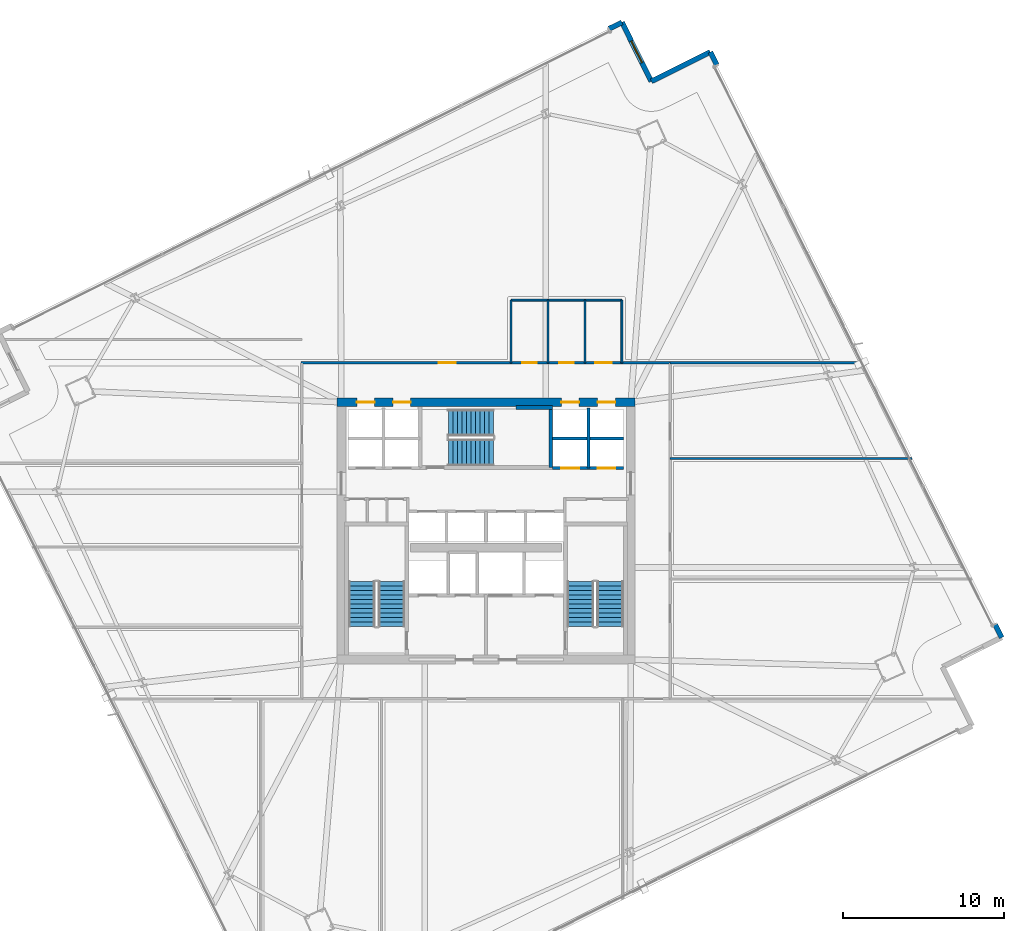
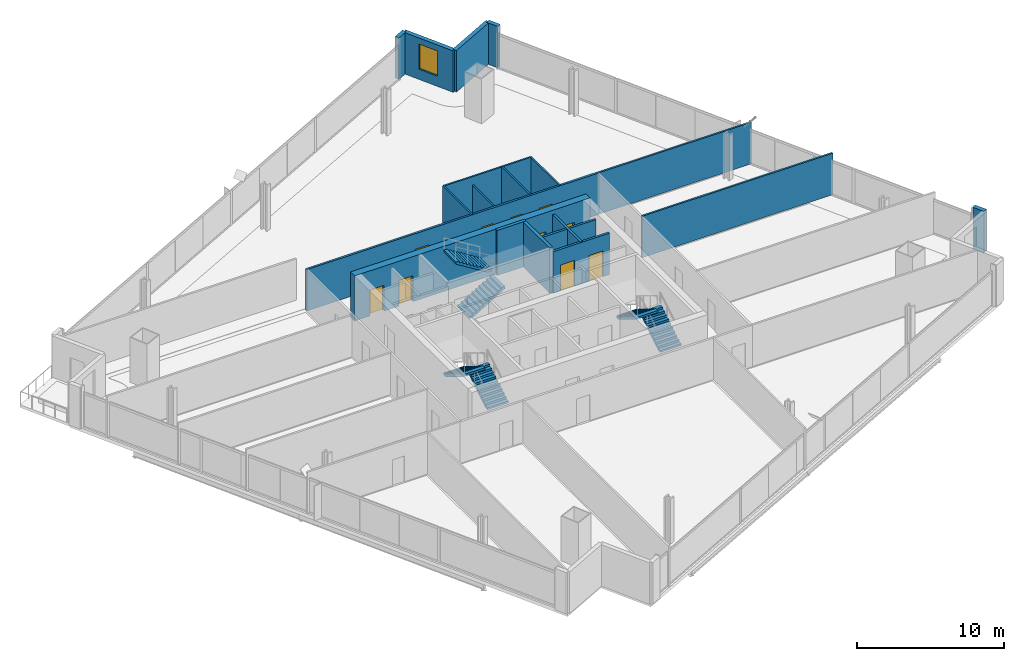
# One storey, part 28 of 35: 19 walls, 10 doors, 6 stair flights, 1 window, 11 openings, 3 elements without a shape of their own.
"""IFC4 building model written with IfcOpenShell, lengths in metres."""

import ifcopenshell
import ifcopenshell.guid

model = None  # the IFC model being written
_history = None  # IfcOwnerHistory: only IFC2X3 demands one
_inside = {}  # id of a spatial element -> (the spatial element, [elements in it])
_under = {}  # id of a project, library or spatial element -> (it, [spatial elements below it])
_declared = {}  # id of a project -> (the project, [libraries it declares])
_typed = {}  # id of a type object -> (the type object, [elements of that type])
_made_of = {}  # id of a material, layer set ... -> (it, [elements and type objects made of it])


def new_model(schema):
    """Start an empty IFC model of exactly this schema.

    Asked for "IFC4X3", IfcOpenShell would pick the latest addendum, in which some entities
    have other attributes; the version numbers below select the first issue.
    IFC2X3 requires an IfcOwnerHistory on every rooted entity: one is made here for all.
    """
    global model, _history
    if schema == "IFC4X3":
        model = ifcopenshell.file(schema_version=(4, 3, 0, 0))
    else:
        model = ifcopenshell.file(schema=schema)
    _inside.clear()
    _under.clear()
    _declared.clear()
    _typed.clear()
    _made_of.clear()
    _history = None
    if model.schema == "IFC2X3":
        org = make("IfcOrganization", Name="unknown")
        user = make(
            "IfcPersonAndOrganization",
            ThePerson=make("IfcPerson", FamilyName="unknown"),
            TheOrganization=org,
        )
        app = make(
            "IfcApplication",
            ApplicationDeveloper=org,
            Version="unknown",
            ApplicationFullName="unknown",
            ApplicationIdentifier="unknown",
        )
        _history = make(
            "IfcOwnerHistory",
            OwningUser=user,
            OwningApplication=app,
            ChangeAction="ADDED",
            CreationDate=0,
        )
    return model


def make(cls, **values):
    """One entity of the class cls with the attributes given. An attribute that is None is left unset."""
    return model.create_entity(
        cls, **{name: value for name, value in values.items() if value is not None}
    )


def rooted(cls, **values):
    """An entity with a GlobalId (a new one), such as an element, a storey or a relation."""
    return make(cls, GlobalId=ifcopenshell.guid.new(), OwnerHistory=_history, **values)


def si_unit(unit_type, name, prefix=None):
    """IfcSIUnit, for example si_unit("LENGTHUNIT", "METRE", prefix="MILLI")."""
    return make("IfcSIUnit", UnitType=unit_type, Prefix=prefix, Name=name)


def assignment(units):
    """IfcUnitAssignment: the units of a project."""
    return None if units is None else make("IfcUnitAssignment", Units=units)


def point(xyz):
    """IfcCartesianPoint."""
    return None if xyz is None else make("IfcCartesianPoint", Coordinates=xyz)


def direction(xyz):
    """IfcDirection."""
    return None if xyz is None else make("IfcDirection", DirectionRatios=xyz)


def frame(location, z_axis=None, x_axis=None):
    """IfcAxis2Placement3D, a coordinate frame: its origin and axes. An axis left out is left unset."""
    return make(
        "IfcAxis2Placement3D",
        Location=point(location),
        Axis=direction(z_axis),
        RefDirection=direction(x_axis),
    )


def frame_2d(location, x_axis=None):
    """IfcAxis2Placement2D, a coordinate frame in the plane: its origin and x axis."""
    return make(
        "IfcAxis2Placement2D", Location=point(location), RefDirection=direction(x_axis)
    )


def origin():
    """The frame at (0, 0, 0) with its axes left unset."""
    return frame((0.0, 0.0, 0.0))


def place(relative_to, where):
    """IfcLocalPlacement: puts the frame where relative to a parent placement (None: the world)."""
    return make(
        "IfcLocalPlacement", PlacementRelTo=relative_to, RelativePlacement=where
    )


def context(
    kind, dimensions, precision=None, world=None, true_north=None, identifier=None
):
    """IfcGeometricRepresentationContext, for example the 3D "Model" context."""
    return make(
        "IfcGeometricRepresentationContext",
        ContextIdentifier=identifier,
        ContextType=kind,
        CoordinateSpaceDimension=dimensions,
        Precision=precision,
        WorldCoordinateSystem=world,
        TrueNorth=true_north,
    )


def subcontext(parent, identifier, kind, view, scale=None):
    """IfcGeometricRepresentationSubContext, for example "Body" below "Model"."""
    return make(
        "IfcGeometricRepresentationSubContext",
        ContextIdentifier=identifier,
        ContextType=kind,
        ParentContext=parent,
        TargetScale=scale,
        TargetView=view,
    )


def project(units=None, contexts=None):
    """IfcProject with its units and contexts."""
    return rooted(
        "IfcProject",
        Name="project",
        RepresentationContexts=contexts,
        UnitsInContext=assignment(units),
    )


def spatial(cls, under=None, at=None, **own):
    """A site, building, storey or space (cls), placed at a placement, below another one or the project."""
    s = rooted(cls, ObjectPlacement=at, **own)
    if under is not None:
        _under.setdefault(under.id(), (under, []))[1].append(s)
    return s


def polyline(points):
    """IfcPolyline through the points."""
    return make("IfcPolyline", Points=[point(p) for p in points])


def profile(cls, at=None, kind="AREA", **sizes):
    """A parametric profile (cls). Its sizes go by their IFC names, for example OverallWidth=200.0."""
    return make(cls, ProfileType=kind, Position=at, **sizes)


def rectangle(**sizes):
    """IfcRectangleProfileDef."""
    return profile("IfcRectangleProfileDef", **sizes)


def outline(outer, holes=None, kind="AREA"):
    """IfcArbitraryClosedProfileDef: a profile drawn as a closed curve; with holes, ...WithVoids."""
    if holes is None:
        return make("IfcArbitraryClosedProfileDef", ProfileType=kind, OuterCurve=outer)
    return make(
        "IfcArbitraryProfileDefWithVoids",
        ProfileType=kind,
        OuterCurve=outer,
        InnerCurves=holes,
    )


def extrude(swept, where, along, depth):
    """IfcExtrudedAreaSolid: the profile swept, set in the frame where, extruded along a direction by depth."""
    return make(
        "IfcExtrudedAreaSolid",
        SweptArea=swept,
        Position=where,
        ExtrudedDirection=direction(along),
        Depth=depth,
    )


def shape(context_of_items, identifier, shape_type, items):
    """IfcShapeRepresentation: the items that make up one representation, for example the "Body"."""
    return make(
        "IfcShapeRepresentation",
        ContextOfItems=context_of_items,
        RepresentationIdentifier=identifier,
        RepresentationType=shape_type,
        Items=items,
    )


def material(Name=None, Category=None):
    """IfcMaterial."""
    return make("IfcMaterial", Name=Name, Category=Category)


def layer(
    of_material, thickness, ventilated=None, Name=None, Category=None, Priority=None
):
    """IfcMaterialLayer: one layer of a wall or slab, of a material (None: an air gap)."""
    return make(
        "IfcMaterialLayer",
        Material=of_material,
        LayerThickness=thickness,
        IsVentilated=ventilated,
        Name=Name,
        Category=Category,
        Priority=Priority,
    )


def layer_set(layers, Name=None):
    """IfcMaterialLayerSet."""
    return make("IfcMaterialLayerSet", MaterialLayers=layers, LayerSetName=Name)


def made_of(thing, what):
    """Note that an element or type object is made of a material, layer set ...; save() writes the relation."""
    if what is not None:
        _made_of.setdefault(what.id(), (what, []))[1].append(thing)
    return thing


def type_object(cls, material=None, **own):
    """A type object (cls), such as IfcWallType, which elements share."""
    return made_of(rooted(cls, **own), material)


def element(
    cls,
    number,
    at=None,
    inside=None,
    cuts=None,
    type_object=None,
    material=None,
    context=None,
    identifier="Body",
    shape_type=None,
    held_by="IfcProductDefinitionShape",
    body=None,
    shapes=None,
    **own,
):
    """One element of the class cls, such as IfcWall. Its Tag is "e" and its number.

    at: its placement. inside: the storey or other place that contains it. cuts: it is an
    opening in that element (IfcRelVoidsElement). A single representation is given by context,
    identifier, shape_type and body (its items); several are given by shapes. held_by: the class
    of the entity that holds the representations. save() writes the other relations.
    """
    e = rooted(cls, Tag="e%d" % number, ObjectPlacement=at, **own)
    if body is not None:
        shapes = [shape(context, identifier, shape_type, body)]
    if shapes is not None:
        e.Representation = make(held_by, Representations=shapes)
    if inside is not None:
        _inside.setdefault(inside.id(), (inside, []))[1].append(e)
    if cuts is not None:
        rooted(
            "IfcRelVoidsElement", RelatingBuildingElement=cuts, RelatedOpeningElement=e
        )
    if type_object is not None:
        _typed.setdefault(type_object.id(), (type_object, []))[1].append(e)
    return made_of(e, material)


def fill(opening, filler):
    """IfcRelFillsElement: the door or window that sits in an opening."""
    return rooted(
        "IfcRelFillsElement",
        RelatingOpeningElement=opening,
        RelatedBuildingElement=filler,
    )


def aggregate(whole, parts):
    """IfcRelAggregates: a whole, such as a stair, and the parts it consists of."""
    return rooted("IfcRelAggregates", RelatingObject=whole, RelatedObjects=parts)


def save(model, path):
    """Write the relations noted so far, then the file.

    IfcRelAggregates (storeys below a building ...), IfcRelContainedInSpatialStructure (elements
    in a storey), IfcRelDefinesByType, IfcRelAssociatesMaterial and IfcRelDeclares: one each for
    every whole, place, type object, material and project.
    """
    for whole, parts in _under.values():
        aggregate(whole, parts)
    for where, things in _inside.values():
        rooted(
            "IfcRelContainedInSpatialStructure",
            RelatedElements=things,
            RelatingStructure=where,
        )
    for kind, things in _typed.values():
        rooted("IfcRelDefinesByType", RelatedObjects=things, RelatingType=kind)
    for what, things in _made_of.values():
        rooted("IfcRelAssociatesMaterial", RelatedObjects=things, RelatingMaterial=what)
    for by, libraries in _declared.values():
        rooted("IfcRelDeclares", RelatingContext=by, RelatedDefinitions=libraries)
    model.write(path)


model = new_model("IFC4")

# Units and contexts
model_context = context("Model", 3, precision=1e-05, world=origin(), true_north=direction((0.0, 1.0)))
body_context = subcontext(model_context, "Body", "Model", "MODEL_VIEW")
ifc_project = project(units=[si_unit("LENGTHUNIT", "METRE"), si_unit("AREAUNIT", "SQUARE_METRE"), si_unit("VOLUMEUNIT", "CUBIC_METRE"), si_unit("PLANEANGLEUNIT", "RADIAN"), si_unit("MASSUNIT", "GRAM", prefix="KILO")], contexts=[model_context])

# Site, building, storey
site_placement = place(None, origin())
site = spatial("IfcSite", under=ifc_project, at=site_placement, CompositionType="ELEMENT")
building_placement = place(site_placement, origin())
building = spatial("IfcBuilding", under=site, at=building_placement, Name="Haldenkirk Collegiate Tower", CompositionType="ELEMENT")
storey_placement = place(building_placement, frame((0.0, 0.0, 116.699951171875)))
storey = spatial("IfcBuildingStorey", under=building, at=storey_placement, Name="L28", CompositionType="ELEMENT", Elevation=116.699951171875)

# Wall, openings, doors
ifc_material_1 = material(Name="Concrete f'c 70 MPa", Category="concrete")
ifc_layer_1 = layer(ifc_material_1, 0.550048828125)
ifc_layer_set_1 = layer_set([ifc_layer_1], Name="Concrete f'c 70 MPa")
wall_type_1 = type_object("IfcWallType", Name="WL-CORE-550", PredefinedType="SHEAR", material=ifc_layer_set_1)
wall_1_placement = place(storey_placement, frame((26.72509765625, 34.0, 0.0), z_axis=(0.0, 0.0, 1.0), x_axis=(1.0, 0.0, 0.0)))
wall_1 = element("IfcWall", 1, at=wall_1_placement, inside=storey, type_object=wall_type_1, Name="L28 central core shear wall N", PredefinedType="SHEAR", context=body_context, shape_type="SweptSolid", body=[
    extrude(rectangle(XDim=18.5498046875, YDim=0.550048828125, at=frame_2d((9.27490234375, 0.0))), origin(), (0.0, 0.0, 1.0), 3.75),
])
opening_1_placement = place(wall_1_placement, frame((1.239990234375, 0.0, 0.0)))
opening_1 = element("IfcOpeningElement", 2, at=opening_1_placement, cuts=wall_1, Name="Opening LD-11", PredefinedType="OPENING", context=body_context, shape_type="SweptSolid", body=[
    extrude(rectangle(XDim=1.10009765625, YDim=2.14990234375, at=frame_2d((0.550048828125, 1.074951171875))), frame((0.0, 0.284912109375, 0.0), z_axis=(0.0, -1.0, 0.0), x_axis=(1.0, 0.0, 0.0)), (0.0, 0.0, 1.0), 0.570068359375),
])
opening_2_placement = place(wall_1_placement, frame((3.489990234375, 0.0, 0.0)))
opening_2 = element("IfcOpeningElement", 3, at=opening_2_placement, cuts=wall_1, Name="Opening LD-11", PredefinedType="OPENING", context=body_context, shape_type="SweptSolid", body=[
    extrude(rectangle(XDim=1.10009765625, YDim=2.14990234375, at=frame_2d((0.550048828125, 1.074951171875))), frame((0.0, 0.284912109375, 0.0), z_axis=(0.0, -1.0, 0.0), x_axis=(1.0, 0.0, 0.0)), (0.0, 0.0, 1.0), 0.570068359375),
])
opening_3_placement = place(wall_1_placement, frame((13.9599609375, 0.0, 0.0)))
opening_3 = element("IfcOpeningElement", 4, at=opening_3_placement, cuts=wall_1, Name="Opening LD-11", PredefinedType="OPENING", context=body_context, shape_type="SweptSolid", body=[
    extrude(rectangle(XDim=1.10009765625, YDim=2.14990234375, at=frame_2d((0.550048828125, 1.074951171875))), frame((0.0, 0.284912109375, 0.0), z_axis=(0.0, -1.0, 0.0), x_axis=(1.0, 0.0, 0.0)), (0.0, 0.0, 1.0), 0.570068359375),
])
opening_4_placement = place(wall_1_placement, frame((16.2099609375, 0.0, 0.0)))
opening_4 = element("IfcOpeningElement", 5, at=opening_4_placement, cuts=wall_1, Name="Opening LD-11", PredefinedType="OPENING", context=body_context, shape_type="SweptSolid", body=[
    extrude(rectangle(XDim=1.10009765625, YDim=2.14990234375, at=frame_2d((0.550048828125, 1.074951171875))), frame((0.0, 0.284912109375, 0.0), z_axis=(0.0, -1.0, 0.0), x_axis=(1.0, 0.0, 0.0)), (0.0, 0.0, 1.0), 0.570068359375),
])
ifc_material_2 = material(Name="Brushed architectural stainless steel", Category="steel")
ifc_layer_2 = layer(ifc_material_2, 0.06005859375)
ifc_layer_set_2 = layer_set([ifc_layer_2], Name="Brushed architectural stainless steel")
door_type_1 = type_object("IfcDoorType", Name="LD-PASS-1100", OperationType="NOTDEFINED", PredefinedType="DOOR", material=ifc_layer_set_2)
door_1_placement = place(opening_1_placement, origin())
door_1 = element("IfcDoor", 6, at=door_1_placement, inside=storey, type_object=door_type_1, Name="L28 Elevator PL3 sliding landing door", OperationType="SLIDING_TO_LEFT", OverallHeight=2.14990234375, OverallWidth=1.10009765625, PredefinedType="DOOR", context=body_context, shape_type="SweptSolid", body=[
    extrude(rectangle(XDim=1.10009765625, YDim=2.14990234375, at=frame_2d((0.550048828125, 1.074951171875))), frame((0.0, 0.02490234375, 0.0), z_axis=(0.0, -1.0, 0.0), x_axis=(1.0, 0.0, 0.0)), (0.0, 0.0, 1.0), 0.050048828125),
])
fill(opening_1, door_1)
door_2_placement = place(opening_2_placement, origin())
door_2 = element("IfcDoor", 7, at=door_2_placement, inside=storey, type_object=door_type_1, Name="L28 Elevator PL4 sliding landing door", OperationType="SLIDING_TO_LEFT", OverallHeight=2.14990234375, OverallWidth=1.10009765625, PredefinedType="DOOR", context=body_context, shape_type="SweptSolid", body=[
    extrude(rectangle(XDim=1.10009765625, YDim=2.14990234375, at=frame_2d((0.550048828125, 1.074951171875))), frame((0.0, 0.02490234375, 0.0), z_axis=(0.0, -1.0, 0.0), x_axis=(1.0, 0.0, 0.0)), (0.0, 0.0, 1.0), 0.050048828125),
])
fill(opening_2, door_2)
door_3_placement = place(opening_3_placement, origin())
door_3 = element("IfcDoor", 8, at=door_3_placement, inside=storey, type_object=door_type_1, Name="L28 Elevator PM3 sliding landing door", OperationType="SLIDING_TO_LEFT", OverallHeight=2.14990234375, OverallWidth=1.10009765625, PredefinedType="DOOR", context=body_context, shape_type="SweptSolid", body=[
    extrude(rectangle(XDim=1.10009765625, YDim=2.14990234375, at=frame_2d((0.550048828125, 1.074951171875))), frame((0.0, 0.02490234375, 0.0), z_axis=(0.0, -1.0, 0.0), x_axis=(1.0, 0.0, 0.0)), (0.0, 0.0, 1.0), 0.050048828125),
])
fill(opening_3, door_3)
door_4_placement = place(opening_4_placement, origin())
door_4 = element("IfcDoor", 9, at=door_4_placement, inside=storey, type_object=door_type_1, Name="L28 Elevator PM4 sliding landing door", OperationType="SLIDING_TO_LEFT", OverallHeight=2.14990234375, OverallWidth=1.10009765625, PredefinedType="DOOR", context=body_context, shape_type="SweptSolid", body=[
    extrude(rectangle(XDim=1.10009765625, YDim=2.14990234375, at=frame_2d((0.550048828125, 1.074951171875))), frame((0.0, 0.02490234375, 0.0), z_axis=(0.0, -1.0, 0.0), x_axis=(1.0, 0.0, 0.0)), (0.0, 0.0, 1.0), 0.050048828125),
])
fill(opening_4, door_4)

# Walls
ifc_material_3 = material(Name="Precast concrete f'c 40 MPa", Category="concrete")
ifc_layer_3 = layer(ifc_material_3, 0.320068359375)
ifc_layer_set_3 = layer_set([ifc_layer_3], Name="Precast concrete f'c 40 MPa")
wall_type_2 = type_object("IfcWallType", Name="WL-EXT-TWR-320", PredefinedType="STANDARD", material=ifc_layer_set_3)
for number, where, z_axis, x_axis, name in (
    (10, (49.94580078125, 55.77880859375, 0.0), (0.0, 0.0, 1.0), (0.445368245111, -0.895347489105, 0.0), "L28 precast corner pier EL"),
    (11, (67.662109375, 20.16748046875, 0.0), (0.0, 0.0, 1.0), (0.445368245111, -0.895347489105, 0.0), "L28 precast corner pier ER"),
):
    element("IfcWall", number, at=place(storey_placement, frame(where, z_axis=z_axis, x_axis=x_axis)), inside=storey, type_object=wall_type_2, Name=name, PredefinedType="STANDARD", context=body_context, shape_type="SweptSolid", body=[
        extrude(rectangle(XDim=0.900146484375, YDim=0.320068359375, at=frame_2d((0.4501953125, 0.0))), origin(), (0.0, 0.0, 1.0), 3.449951171875),
    ])
wall_2_placement = place(storey_placement, frame((46.27490234375, 53.95263671875, 0.0), z_axis=(0.0, 0.0, 1.0), x_axis=(0.895330455178, 0.445402487678, 0.0)))
element("IfcWall", 12, at=wall_2_placement, inside=storey, type_object=wall_type_2, Name="L28 bronze precast notch wall 05", PredefinedType="STANDARD", context=body_context, shape_type="SweptSolid", body=[
    extrude(rectangle(XDim=4.10009765625, YDim=0.320068359375, at=frame_2d((2.050048828125, 0.0))), origin(), (0.0, 0.0, 1.0), 3.449951171875),
])

# Wall, opening, window
wall_3_placement = place(storey_placement, frame((44.44873046875, 57.62353515625, 0.0), z_axis=(0.0, 0.0, 1.0), x_axis=(0.445402487678, -0.895330455178, 0.0)))
wall_3 = element("IfcWall", 13, at=wall_3_placement, inside=storey, type_object=wall_type_2, Name="L28 bronze precast notch wall 06", PredefinedType="STANDARD", context=body_context, shape_type="SweptSolid", body=[
    extrude(rectangle(XDim=4.10009765625, YDim=0.320068359375, at=frame_2d((2.050048828125, 0.0))), origin(), (0.0, 0.0, 1.0), 3.449951171875),
])
opening_5_placement = place(wall_3_placement, frame((1.300048828125, 0.0, 0.85009765625)))
opening_5 = element("IfcOpeningElement", 14, at=opening_5_placement, cuts=wall_3, Name="Opening W-04", PredefinedType="OPENING", context=body_context, shape_type="SweptSolid", body=[
    extrude(rectangle(XDim=1.5, YDim=2.10009765625, at=frame_2d((0.75, 1.050048828125))), frame((0.0, 0.169921875, 0.0), z_axis=(0.0, -1.0, 0.0), x_axis=(1.0, 0.0, 0.0)), (0.0, 0.0, 1.0), 0.340087890625),
])
ifc_material_4 = material(Name="Low-E argon triple insulating glass", Category="glass")
ifc_layer_4 = layer(ifc_material_4, 0.090087890625)
ifc_layer_set_4 = layer_set([ifc_layer_4], Name="Low-E argon triple insulating glass")
window_type = type_object("IfcWindowType", Name="WN-Z2-1500X2100", PartitioningType="SINGLE_PANEL", PredefinedType="WINDOW", material=ifc_layer_set_4)
window_placement = place(opening_5_placement, origin())
window = element("IfcWindow", 15, at=window_placement, inside=storey, type_object=window_type, Name="L28 precast-frame academic window 5", OverallHeight=2.10009765625, OverallWidth=1.5, PartitioningType="SINGLE_PANEL", PredefinedType="WINDOW", context=body_context, shape_type="SweptSolid", body=[
    extrude(rectangle(XDim=1.5, YDim=2.10009765625, at=frame_2d((0.75, 1.050048828125))), frame((0.0, 0.030029296875, 0.0), z_axis=(0.0, -1.0, 0.0), x_axis=(1.0, 0.0, 0.0)), (0.0, 0.0, 1.0), 0.06005859375),
])
fill(opening_5, window)

# Wall
wall_4_placement = place(storey_placement, frame((43.64306640625, 57.22265625, 0.0), z_axis=(0.0, 0.0, 1.0), x_axis=(0.895293669214, 0.445476425712, 0.0)))
element("IfcWall", 16, at=wall_4_placement, inside=storey, type_object=wall_type_2, Name="L28 precast corner pier NR", PredefinedType="STANDARD", context=body_context, shape_type="SweptSolid", body=[
    extrude(rectangle(XDim=0.89990234375, YDim=0.320068359375, at=frame_2d((0.449951171875, 0.0))), origin(), (0.0, 0.0, 1.0), 3.449951171875),
])

# Wall, openings, doors
ifc_material_5 = material(Name="Acoustic fire-rated gypsum partition", Category="concrete")
ifc_layer_5 = layer(ifc_material_5, 0.159912109375)
ifc_layer_set_5 = layer_set([ifc_layer_5], Name="Acoustic fire-rated gypsum partition")
wall_type_3 = type_object("IfcWallType", Name="WL-INT-CORR-160", PredefinedType="PARTITIONING", material=ifc_layer_set_5)
wall_5_placement = place(storey_placement, frame((24.5, 36.449951171875, 0.0), z_axis=(0.0, 0.0, 1.0), x_axis=(1.0, 0.0, 0.0)))
wall_5 = element("IfcWall", 17, at=wall_5_placement, inside=storey, type_object=wall_type_3, Name="L28 interior partition IW-L28-CN", PredefinedType="PARTITIONING", context=body_context, shape_type="SweptSolid", body=[
    extrude(rectangle(XDim=23.0, YDim=0.159912109375, at=frame_2d((11.5, 0.0))), origin(), (0.0, 0.0, 1.0), 3.449951171875),
])
opening_6_placement = place(wall_5_placement, frame((13.75, 0.0, 0.0)))
opening_6 = element("IfcOpeningElement", 18, at=opening_6_placement, cuts=wall_5, Name="Opening D-13", PredefinedType="OPENING", context=body_context, shape_type="SweptSolid", body=[
    extrude(rectangle(XDim=0.89990234375, YDim=2.14990234375, at=frame_2d((0.449951171875, 1.074951171875))), frame((0.0, 0.08984375, 0.0), z_axis=(0.0, -1.0, 0.0), x_axis=(1.0, 0.0, 0.0)), (0.0, 0.0, 1.0), 0.179931640625),
])
opening_7_placement = place(wall_5_placement, frame((16.050048828125, 0.0, 0.0)))
opening_7 = element("IfcOpeningElement", 19, at=opening_7_placement, cuts=wall_5, Name="Opening D-13", PredefinedType="OPENING", context=body_context, shape_type="SweptSolid", body=[
    extrude(rectangle(XDim=0.89990234375, YDim=2.14990234375, at=frame_2d((0.449951171875, 1.074951171875))), frame((0.0, 0.08984375, 0.0), z_axis=(0.0, -1.0, 0.0), x_axis=(1.0, 0.0, 0.0)), (0.0, 0.0, 1.0), 0.179931640625),
])
opening_8_placement = place(wall_5_placement, frame((18.300048828125, 0.0, 0.0)))
opening_8 = element("IfcOpeningElement", 20, at=opening_8_placement, cuts=wall_5, Name="Opening D-14", PredefinedType="OPENING", context=body_context, shape_type="SweptSolid", body=[
    extrude(rectangle(XDim=1.0, YDim=2.14990234375, at=frame_2d((0.5, 1.074951171875))), frame((0.0, 0.08984375, 0.0), z_axis=(0.0, -1.0, 0.0), x_axis=(1.0, 0.0, 0.0)), (0.0, 0.0, 1.0), 0.179931640625),
])
opening_9_placement = place(wall_5_placement, frame((8.56103515625, 0.0, 0.0)))
opening_9 = element("IfcOpeningElement", 21, at=opening_9_placement, cuts=wall_5, Name="Opening D-09", PredefinedType="OPENING", context=body_context, shape_type="SweptSolid", body=[
    extrude(rectangle(XDim=1.050048828125, YDim=2.14990234375, at=frame_2d((0.52490234375, 1.074951171875))), frame((0.0, 0.08984375, 0.0), z_axis=(0.0, -1.0, 0.0), x_axis=(1.0, 0.0, 0.0)), (0.0, 0.0, 1.0), 0.179931640625),
])
ifc_material_6 = material(Name="Solid-core architectural oak fire door", Category="wood")
ifc_layer_6 = layer(ifc_material_6, 0.06005859375)
ifc_layer_set_6 = layer_set([ifc_layer_6], Name="Solid-core architectural oak fire door")
door_type_2 = type_object("IfcDoorType", Name="DR-INT-ACC-1000", OperationType="NOTDEFINED", PredefinedType="DOOR", material=ifc_layer_set_6)
door_5_placement = place(opening_8_placement, origin())
door_5 = element("IfcDoor", 22, at=door_5_placement, inside=storey, type_object=door_type_2, Name="L28 Accessible WC door", OperationType="SINGLE_SWING_RIGHT", OverallHeight=2.14990234375, OverallWidth=1.0, PredefinedType="DOOR", context=body_context, shape_type="SweptSolid", body=[
    extrude(rectangle(XDim=1.0, YDim=2.14990234375, at=frame_2d((0.5, 1.074951171875))), frame((0.0, 0.02490234375, 0.0), z_axis=(0.0, -1.0, 0.0), x_axis=(1.0, 0.0, 0.0)), (0.0, 0.0, 1.0), 0.050048828125),
])
fill(opening_8, door_5)
ifc_layer_7 = layer(ifc_material_6, 0.06005859375)
ifc_layer_set_7 = layer_set([ifc_layer_7], Name="Solid-core architectural oak fire door")
door_type_3 = type_object("IfcDoorType", Name="DR-INT-FD60-1050", OperationType="NOTDEFINED", PredefinedType="DOOR", material=ifc_layer_set_7)
door_6_placement = place(opening_9_placement, origin())
door_6 = element("IfcDoor", 23, at=door_6_placement, inside=storey, type_object=door_type_3, Name="L28 Periodical Reading Lounge 5 door", OperationType="SINGLE_SWING_LEFT", OverallHeight=2.14990234375, OverallWidth=1.050048828125, PredefinedType="DOOR", context=body_context, shape_type="SweptSolid", body=[
    extrude(rectangle(XDim=1.050048828125, YDim=2.14990234375, at=frame_2d((0.52490234375, 1.074951171875))), frame((0.0, 0.02490234375, 0.0), z_axis=(0.0, -1.0, 0.0), x_axis=(1.0, 0.0, 0.0)), (0.0, 0.0, 1.0), 0.050048828125),
])
fill(opening_9, door_6)
ifc_layer_8 = layer(ifc_material_6, 0.06005859375)
ifc_layer_set_8 = layer_set([ifc_layer_8], Name="Solid-core architectural oak fire door")
door_type_4 = type_object("IfcDoorType", Name="DR-INT-STD-900", OperationType="NOTDEFINED", PredefinedType="DOOR", material=ifc_layer_set_8)
door_7_placement = place(opening_6_placement, origin())
door_7 = element("IfcDoor", 24, at=door_7_placement, inside=storey, type_object=door_type_4, Name="L28 Male WC door", OperationType="SINGLE_SWING_RIGHT", OverallHeight=2.14990234375, OverallWidth=0.89990234375, PredefinedType="DOOR", context=body_context, shape_type="SweptSolid", body=[
    extrude(rectangle(XDim=0.89990234375, YDim=2.14990234375, at=frame_2d((0.449951171875, 1.074951171875))), frame((0.0, 0.02490234375, 0.0), z_axis=(0.0, -1.0, 0.0), x_axis=(1.0, 0.0, 0.0)), (0.0, 0.0, 1.0), 0.050048828125),
])
fill(opening_6, door_7)
door_8_placement = place(opening_7_placement, origin())
door_8 = element("IfcDoor", 25, at=door_8_placement, inside=storey, type_object=door_type_4, Name="L28 Female WC door", OperationType="SINGLE_SWING_LEFT", OverallHeight=2.14990234375, OverallWidth=0.89990234375, PredefinedType="DOOR", context=body_context, shape_type="SweptSolid", body=[
    extrude(rectangle(XDim=0.89990234375, YDim=2.14990234375, at=frame_2d((0.449951171875, 1.074951171875))), frame((0.0, 0.02490234375, 0.0), z_axis=(0.0, -1.0, 0.0), x_axis=(1.0, 0.0, 0.0)), (0.0, 0.0, 1.0), 0.050048828125),
])
fill(opening_7, door_8)

# Walls
ifc_layer_9 = layer(ifc_material_5, 0.139892578125)
ifc_layer_set_9 = layer_set([ifc_layer_9], Name="Acoustic fire-rated gypsum partition")
wall_type_4 = type_object("IfcWallType", Name="WL-INT-DIV-140", PredefinedType="PARTITIONING", material=ifc_layer_set_9)
wall_6_placement = place(storey_placement, frame((47.449951171875, 36.449951171875, 0.0), z_axis=(0.0, 0.0, 1.0), x_axis=(1.0, 0.0, 0.0)))
element("IfcWall", 26, at=wall_6_placement, inside=storey, type_object=wall_type_4, Name="L28 interior partition IW-L28-BEN", PredefinedType="PARTITIONING", context=body_context, shape_type="SweptSolid", body=[
    extrude(rectangle(XDim=12.067138671875, YDim=0.139892578125, at=frame_2d((6.03369140625, 0.0))), origin(), (0.0, 0.0, 1.0), 3.449951171875),
])
wall_7_placement = place(storey_placement, frame((47.449951171875, 30.5, 0.0), z_axis=(0.0, 0.0, 1.0), x_axis=(1.0, 0.0, 0.0)))
element("IfcWall", 27, at=wall_7_placement, inside=storey, type_object=wall_type_4, Name="L28 interior partition IW-L28-RE2", PredefinedType="PARTITIONING", context=body_context, shape_type="SweptSolid", body=[
    extrude(rectangle(XDim=15.027099609375, YDim=0.139892578125, at=frame_2d((7.513671875, 0.0))), origin(), (0.0, 0.0, 1.0), 3.449951171875),
])

# Wall, openings, doors
ifc_material_7 = material(Name="Fire-rated gypsum shaftboard assembly", Category="concrete")
ifc_layer_10 = layer(ifc_material_7, 0.179931640625)
ifc_layer_set_10 = layer_set([ifc_layer_10], Name="Fire-rated gypsum shaftboard assembly")
wall_type_5 = type_object("IfcWallType", Name="WL-INT-SHAFT-180", PredefinedType="PARTITIONING", material=ifc_layer_set_10)
wall_8_placement = place(storey_placement, frame((40.1201171875, 29.89990234375, 0.0), z_axis=(0.0, 0.0, 1.0), x_axis=(1.0, 0.0, 0.0)))
wall_8 = element("IfcWall", 28, at=wall_8_placement, inside=storey, type_object=wall_type_5, Name="L28 interior partition IW-L28-PMS", PredefinedType="PARTITIONING", context=body_context, shape_type="SweptSolid", body=[
    extrude(rectangle(XDim=4.429931640625, YDim=0.179931640625, at=frame_2d((2.21484375, 0.0))), origin(), (0.0, 0.0, 1.0), 3.449951171875),
])
opening_10_placement = place(wall_8_placement, frame((0.56494140625, 0.0, 0.0)))
opening_10 = element("IfcOpeningElement", 29, at=opening_10_placement, cuts=wall_8, Name="Opening LD-11", PredefinedType="OPENING", context=body_context, shape_type="SweptSolid", body=[
    extrude(rectangle(XDim=1.10009765625, YDim=2.14990234375, at=frame_2d((0.550048828125, 1.074951171875))), frame((0.0, 0.099853515625, 0.0), z_axis=(0.0, -1.0, 0.0), x_axis=(1.0, 0.0, 0.0)), (0.0, 0.0, 1.0), 0.199951171875),
])
opening_11_placement = place(wall_8_placement, frame((2.81494140625, 0.0, 0.0)))
opening_11 = element("IfcOpeningElement", 30, at=opening_11_placement, cuts=wall_8, Name="Opening LD-11", PredefinedType="OPENING", context=body_context, shape_type="SweptSolid", body=[
    extrude(rectangle(XDim=1.10009765625, YDim=2.14990234375, at=frame_2d((0.550048828125, 1.074951171875))), frame((0.0, 0.099853515625, 0.0), z_axis=(0.0, -1.0, 0.0), x_axis=(1.0, 0.0, 0.0)), (0.0, 0.0, 1.0), 0.199951171875),
])
door_9_placement = place(opening_10_placement, origin())
door_9 = element("IfcDoor", 31, at=door_9_placement, inside=storey, type_object=door_type_1, Name="L28 Elevator PM1 sliding landing door", OperationType="SLIDING_TO_LEFT", OverallHeight=2.14990234375, OverallWidth=1.10009765625, PredefinedType="DOOR", context=body_context, shape_type="SweptSolid", body=[
    extrude(rectangle(XDim=1.10009765625, YDim=2.14990234375, at=frame_2d((0.550048828125, 1.074951171875))), frame((0.0, 0.02490234375, 0.0), z_axis=(0.0, -1.0, 0.0), x_axis=(1.0, 0.0, 0.0)), (0.0, 0.0, 1.0), 0.050048828125),
])
fill(opening_10, door_9)
door_10_placement = place(opening_11_placement, origin())
door_10 = element("IfcDoor", 32, at=door_10_placement, inside=storey, type_object=door_type_1, Name="L28 Elevator PM2 sliding landing door", OperationType="SLIDING_TO_LEFT", OverallHeight=2.14990234375, OverallWidth=1.10009765625, PredefinedType="DOOR", context=body_context, shape_type="SweptSolid", body=[
    extrude(rectangle(XDim=1.10009765625, YDim=2.14990234375, at=frame_2d((0.550048828125, 1.074951171875))), frame((0.0, 0.02490234375, 0.0), z_axis=(0.0, -1.0, 0.0), x_axis=(1.0, 0.0, 0.0)), (0.0, 0.0, 1.0), 0.050048828125),
])
fill(opening_11, door_10)

# Walls
wall_9_placement = place(storey_placement, frame((40.1201171875, 31.75, 0.0), z_axis=(0.0, 0.0, 1.0), x_axis=(1.0, 0.0, 0.0)))
element("IfcWall", 33, at=wall_9_placement, inside=storey, type_object=wall_type_5, Name="L28 interior partition IW-L28-PMM", PredefinedType="PARTITIONING", context=body_context, shape_type="SweptSolid", body=[
    extrude(rectangle(XDim=4.429931640625, YDim=0.179931640625, at=frame_2d((2.21484375, 0.0))), origin(), (0.0, 0.0, 1.0), 3.449951171875),
])
wall_10_placement = place(storey_placement, frame((42.3701171875, 29.89990234375, 0.0), z_axis=(0.0, 0.0, 1.0), x_axis=(0.0, 1.0, 0.0)))
element("IfcWall", 34, at=wall_10_placement, inside=storey, type_object=wall_type_5, Name="L28 interior partition IW-L28-PMV", PredefinedType="PARTITIONING", context=body_context, shape_type="SweptSolid", body=[
    extrude(rectangle(XDim=3.75, YDim=0.179931640625, at=frame_2d((1.875, 0.0))), origin(), (0.0, 0.0, 1.0), 3.449951171875),
])
ifc_layer_11 = layer(ifc_material_5, 0.1201171875)
ifc_layer_set_11 = layer_set([ifc_layer_11], Name="Acoustic fire-rated gypsum partition")
wall_type_6 = type_object("IfcWallType", Name="WL-INT-WET-120", PredefinedType="PARTITIONING", material=ifc_layer_set_11)
wall_11_placement = place(storey_placement, frame((37.550048828125, 36.449951171875, 0.0), z_axis=(0.0, 0.0, 1.0), x_axis=(0.0, 1.0, 0.0)))
element("IfcWall", 35, at=wall_11_placement, inside=storey, type_object=wall_type_6, Name="L28 interior partition IW-L28-WCW", PredefinedType="PARTITIONING", context=body_context, shape_type="SweptSolid", body=[
    extrude(rectangle(XDim=3.900146484375, YDim=0.1201171875, at=frame_2d((1.9501953125, 0.0))), origin(), (0.0, 0.0, 1.0), 3.449951171875),
])
wall_12_placement = place(storey_placement, frame((39.85009765625, 36.449951171875, 0.0), z_axis=(0.0, 0.0, 1.0), x_axis=(0.0, 1.0, 0.0)))
element("IfcWall", 36, at=wall_12_placement, inside=storey, type_object=wall_type_6, Name="L28 interior partition IW-L28-WC1", PredefinedType="PARTITIONING", context=body_context, shape_type="SweptSolid", body=[
    extrude(rectangle(XDim=3.900146484375, YDim=0.1201171875, at=frame_2d((1.9501953125, 0.0))), origin(), (0.0, 0.0, 1.0), 2.7490234375),
])
for number, where, z_axis, x_axis, name in (
    (37, (42.14990234375, 36.449951171875, 0.0), (0.0, 0.0, 1.0), (0.0, 1.0, 0.0), "L28 interior partition IW-L28-WC2"),
    (38, (44.449951171875, 36.449951171875, 0.0), (0.0, 0.0, 1.0), (0.0, 1.0, 0.0), "L28 interior partition IW-L28-WCE"),
):
    element("IfcWall", number, at=place(storey_placement, frame(where, z_axis=z_axis, x_axis=x_axis)), inside=storey, type_object=wall_type_6, Name=name, PredefinedType="PARTITIONING", context=body_context, shape_type="SweptSolid", body=[
        extrude(rectangle(XDim=3.900146484375, YDim=0.1201171875, at=frame_2d((1.9501953125, 0.0))), origin(), (0.0, 0.0, 1.0), 3.449951171875),
    ])
wall_13_placement = place(storey_placement, frame((37.550048828125, 40.35009765625, 0.0), z_axis=(0.0, 0.0, 1.0), x_axis=(1.0, 0.0, 0.0)))
element("IfcWall", 39, at=wall_13_placement, inside=storey, type_object=wall_type_6, Name="L28 interior partition IW-L28-WCB", PredefinedType="PARTITIONING", context=body_context, shape_type="SweptSolid", body=[
    extrude(rectangle(XDim=6.89990234375, YDim=0.1201171875, at=frame_2d((3.449951171875, 0.0))), origin(), (0.0, 0.0, 1.0), 3.449951171875),
])
ifc_material_8 = material(Name="Concrete f'c 55 MPa", Category="concrete")
ifc_layer_12 = layer(ifc_material_8, 0.239990234375)
ifc_layer_set_12 = layer_set([ifc_layer_12], Name="Concrete f'c 55 MPa")
wall_type_7 = type_object("IfcWallType", Name="WL-SHAFT-240", PredefinedType="SHEAR", material=ifc_layer_set_12)
wall_14_placement = place(storey_placement, frame((40.02001953125, 29.929931640625, 0.0), z_axis=(0.0, 0.0, 1.0), x_axis=(0.0, 1.0, 0.0)))
element("IfcWall", 40, at=wall_14_placement, inside=storey, type_object=wall_type_7, Name="L28 stair shaft shear wall SW-L28-ST3E", PredefinedType="SHEAR", context=body_context, shape_type="SweptSolid", body=[
    extrude(rectangle(XDim=3.85009765625, YDim=0.239990234375, at=frame_2d((1.925048828125, 0.0))), origin(), (0.0, 0.0, 1.0), 3.75),
])
wall_15_placement = place(storey_placement, frame((37.85009765625, 33.659912109375, 0.0), z_axis=(0.0, 0.0, 1.0), x_axis=(1.0, 0.0, 0.0)))
element("IfcWall", 41, at=wall_15_placement, inside=storey, type_object=wall_type_7, Name="L28 stair shaft shear wall SW-L28-ST3N", PredefinedType="SHEAR", context=body_context, shape_type="SweptSolid", body=[
    extrude(rectangle(XDim=2.289794921875, YDim=0.239990234375, at=frame_2d((1.14501953125, 0.0))), origin(), (0.0, 0.0, 1.0), 3.75),
])

# Stair, stair flights
ifc_material_9 = material(Name="Concrete f'c 40 MPa", Category="concrete")
stair_type = type_object("IfcStairType", Name="STR-DOGLEG-1650", PredefinedType="HALF_TURN_STAIR", material=ifc_material_9)
stair_1_placement = place(storey_placement, origin())
stair_1 = element("IfcStair", 42, at=stair_1_placement, inside=storey, type_object=stair_type, Name="L28 Core Exit Stair ST-1", PredefinedType="HALF_TURN_STAIR")
stair_flight_type = type_object("IfcStairFlightType", Name="STF-FLIGHT-1650", PredefinedType="STRAIGHT", material=ifc_material_9)
stair_flight_1_placement = place(storey_placement, frame((30.125, 20.050048828125, 0.0), z_axis=(0.0, 0.0, 1.0), x_axis=(0.0, 1.0, 0.0)))
stair_flight_1 = element("IfcStairFlight", 43, at=stair_flight_1_placement, type_object=stair_flight_type, Name="ST-1 flight 1", NumberOfRisers=11, NumberOfTreads=10, PredefinedType="STRAIGHT", RiserHeight=0.170454545, TreadLength=0.28, context=body_context, shape_type="SweptSolid", body=[
    extrude(outline(polyline([(0.0, 0.0), (0.0, 0.17041015625), (0.280029296875, 0.17041015625), (0.280029296875, 0.3408203125), (0.56005859375, 0.3408203125), (0.56005859375, 0.511474609375), (0.840087890625, 0.511474609375), (0.840087890625, 0.681884765625), (1.1201171875, 0.681884765625), (1.1201171875, 0.852294921875), (1.39990234375, 0.852294921875), (1.39990234375, 1.022705078125), (1.679931640625, 1.022705078125), (1.679931640625, 1.193115234375), (1.9599609375, 1.193115234375), (1.9599609375, 1.363525390625), (2.239990234375, 1.363525390625), (2.239990234375, 1.5341796875), (2.52001953125, 1.5341796875), (2.52001953125, 1.70458984375), (2.800048828125, 1.70458984375), (2.800048828125, 1.875), (2.800048828125, 1.529052734375), (0.288330078125, 0.0), (0.0, 0.0)])), frame((0.0, 0.824951171875, 0.0), z_axis=(0.0, -1.0, 0.0), x_axis=(1.0, 0.0, 0.0)), (0.0, 0.0, 1.0), 1.64990234375),
])
stair_flight_2_placement = place(storey_placement, frame((28.27490234375, 22.85009765625, 1.875), z_axis=(0.0, 0.0, 1.0), x_axis=(0.0, -1.0, 0.0)))
stair_flight_2 = element("IfcStairFlight", 44, at=stair_flight_2_placement, type_object=stair_flight_type, Name="ST-1 flight 2", NumberOfRisers=11, NumberOfTreads=10, PredefinedType="STRAIGHT", RiserHeight=0.170454545, TreadLength=0.28, context=body_context, shape_type="SweptSolid", body=[
    extrude(outline(polyline([(0.0, 0.0), (0.0, 0.17041015625), (0.280029296875, 0.17041015625), (0.280029296875, 0.3408203125), (0.56005859375, 0.3408203125), (0.56005859375, 0.511474609375), (0.840087890625, 0.511474609375), (0.840087890625, 0.681884765625), (1.1201171875, 0.681884765625), (1.1201171875, 0.852294921875), (1.39990234375, 0.852294921875), (1.39990234375, 1.022705078125), (1.679931640625, 1.022705078125), (1.679931640625, 1.193115234375), (1.9599609375, 1.193115234375), (1.9599609375, 1.363525390625), (2.239990234375, 1.363525390625), (2.239990234375, 1.5341796875), (2.52001953125, 1.5341796875), (2.52001953125, 1.70458984375), (2.800048828125, 1.70458984375), (2.800048828125, 1.875), (2.800048828125, 1.529052734375), (0.288330078125, 0.0), (0.0, 0.0)])), frame((0.0, 0.824951171875, 0.0), z_axis=(0.0, -1.0, 0.0), x_axis=(1.0, 0.0, 0.0)), (0.0, 0.0, 1.0), 1.64990234375),
])
aggregate(stair_1, [stair_flight_1, stair_flight_2])

stair_2_placement = place(storey_placement, origin())
stair_2 = element("IfcStair", 45, at=stair_2_placement, inside=storey, type_object=stair_type, Name="L28 Core Exit Stair ST-2", PredefinedType="HALF_TURN_STAIR")
stair_flight_3_placement = place(storey_placement, frame((43.72509765625, 20.050048828125, 0.0), z_axis=(0.0, 0.0, 1.0), x_axis=(0.0, 1.0, 0.0)))
stair_flight_3 = element("IfcStairFlight", 46, at=stair_flight_3_placement, type_object=stair_flight_type, Name="ST-2 flight 1", NumberOfRisers=11, NumberOfTreads=10, PredefinedType="STRAIGHT", RiserHeight=0.170454545, TreadLength=0.28, context=body_context, shape_type="SweptSolid", body=[
    extrude(outline(polyline([(0.0, 0.0), (0.0, 0.17041015625), (0.280029296875, 0.17041015625), (0.280029296875, 0.3408203125), (0.56005859375, 0.3408203125), (0.56005859375, 0.511474609375), (0.840087890625, 0.511474609375), (0.840087890625, 0.681884765625), (1.1201171875, 0.681884765625), (1.1201171875, 0.852294921875), (1.39990234375, 0.852294921875), (1.39990234375, 1.022705078125), (1.679931640625, 1.022705078125), (1.679931640625, 1.193115234375), (1.9599609375, 1.193115234375), (1.9599609375, 1.363525390625), (2.239990234375, 1.363525390625), (2.239990234375, 1.5341796875), (2.52001953125, 1.5341796875), (2.52001953125, 1.70458984375), (2.800048828125, 1.70458984375), (2.800048828125, 1.875), (2.800048828125, 1.529052734375), (0.288330078125, 0.0), (0.0, 0.0)])), frame((0.0, 0.824951171875, 0.0), z_axis=(0.0, -1.0, 0.0), x_axis=(1.0, 0.0, 0.0)), (0.0, 0.0, 1.0), 1.64990234375),
])
stair_flight_4_placement = place(storey_placement, frame((41.875, 22.85009765625, 1.875), z_axis=(0.0, 0.0, 1.0), x_axis=(0.0, -1.0, 0.0)))
stair_flight_4 = element("IfcStairFlight", 47, at=stair_flight_4_placement, type_object=stair_flight_type, Name="ST-2 flight 2", NumberOfRisers=11, NumberOfTreads=10, PredefinedType="STRAIGHT", RiserHeight=0.170454545, TreadLength=0.28, context=body_context, shape_type="SweptSolid", body=[
    extrude(outline(polyline([(0.0, 0.0), (0.0, 0.17041015625), (0.280029296875, 0.17041015625), (0.280029296875, 0.3408203125), (0.56005859375, 0.3408203125), (0.56005859375, 0.511474609375), (0.840087890625, 0.511474609375), (0.840087890625, 0.681884765625), (1.1201171875, 0.681884765625), (1.1201171875, 0.852294921875), (1.39990234375, 0.852294921875), (1.39990234375, 1.022705078125), (1.679931640625, 1.022705078125), (1.679931640625, 1.193115234375), (1.9599609375, 1.193115234375), (1.9599609375, 1.363525390625), (2.239990234375, 1.363525390625), (2.239990234375, 1.5341796875), (2.52001953125, 1.5341796875), (2.52001953125, 1.70458984375), (2.800048828125, 1.70458984375), (2.800048828125, 1.875), (2.800048828125, 1.529052734375), (0.288330078125, 0.0), (0.0, 0.0)])), frame((0.0, 0.824951171875, 0.0), z_axis=(0.0, -1.0, 0.0), x_axis=(1.0, 0.0, 0.0)), (0.0, 0.0, 1.0), 1.64990234375),
])
aggregate(stair_2, [stair_flight_3, stair_flight_4])

stair_3_placement = place(storey_placement, origin())
stair_3 = element("IfcStair", 48, at=stair_3_placement, inside=storey, type_object=stair_type, Name="L28 Core Exit Stair ST-3", PredefinedType="HALF_TURN_STAIR")
stair_flight_5_placement = place(storey_placement, frame((33.64990234375, 30.875, 0.0), z_axis=(0.0, 0.0, 1.0), x_axis=(1.0, 0.0, 0.0)))
stair_flight_5 = element("IfcStairFlight", 49, at=stair_flight_5_placement, type_object=stair_flight_type, Name="ST-3 flight 1", NumberOfRisers=11, NumberOfTreads=10, PredefinedType="STRAIGHT", RiserHeight=0.170454545, TreadLength=0.28, context=body_context, shape_type="SweptSolid", body=[
    extrude(outline(polyline([(0.0, 0.0), (0.0, 0.17041015625), (0.280029296875, 0.17041015625), (0.280029296875, 0.3408203125), (0.56005859375, 0.3408203125), (0.56005859375, 0.511474609375), (0.840087890625, 0.511474609375), (0.840087890625, 0.681884765625), (1.1201171875, 0.681884765625), (1.1201171875, 0.852294921875), (1.39990234375, 0.852294921875), (1.39990234375, 1.022705078125), (1.679931640625, 1.022705078125), (1.679931640625, 1.193115234375), (1.9599609375, 1.193115234375), (1.9599609375, 1.363525390625), (2.239990234375, 1.363525390625), (2.239990234375, 1.5341796875), (2.52001953125, 1.5341796875), (2.52001953125, 1.70458984375), (2.800048828125, 1.70458984375), (2.800048828125, 1.875), (2.800048828125, 1.529052734375), (0.288330078125, 0.0), (0.0, 0.0)])), frame((0.0, 0.824951171875, 0.0), z_axis=(0.0, -1.0, 0.0), x_axis=(1.0, 0.0, 0.0)), (0.0, 0.0, 1.0), 1.64990234375),
])
stair_flight_6_placement = place(storey_placement, frame((36.449951171875, 32.72509765625, 1.875), z_axis=(0.0, 0.0, 1.0), x_axis=(-1.0, 0.0, 0.0)))
stair_flight_6 = element("IfcStairFlight", 50, at=stair_flight_6_placement, type_object=stair_flight_type, Name="ST-3 flight 2", NumberOfRisers=11, NumberOfTreads=10, PredefinedType="STRAIGHT", RiserHeight=0.170454545, TreadLength=0.28, context=body_context, shape_type="SweptSolid", body=[
    extrude(outline(polyline([(0.0, 0.0), (0.0, 0.17041015625), (0.280029296875, 0.17041015625), (0.280029296875, 0.3408203125), (0.56005859375, 0.3408203125), (0.56005859375, 0.511474609375), (0.840087890625, 0.511474609375), (0.840087890625, 0.681884765625), (1.1201171875, 0.681884765625), (1.1201171875, 0.852294921875), (1.39990234375, 0.852294921875), (1.39990234375, 1.022705078125), (1.679931640625, 1.022705078125), (1.679931640625, 1.193115234375), (1.9599609375, 1.193115234375), (1.9599609375, 1.363525390625), (2.239990234375, 1.363525390625), (2.239990234375, 1.5341796875), (2.52001953125, 1.5341796875), (2.52001953125, 1.70458984375), (2.800048828125, 1.70458984375), (2.800048828125, 1.875), (2.800048828125, 1.529052734375), (0.288330078125, 0.0), (0.0, 0.0)])), frame((0.0, 0.824951171875, 0.0), z_axis=(0.0, -1.0, 0.0), x_axis=(1.0, 0.0, 0.0)), (0.0, 0.0, 1.0), 1.64990234375),
])
aggregate(stair_3, [stair_flight_5, stair_flight_6])

save(model, "model.ifc")
